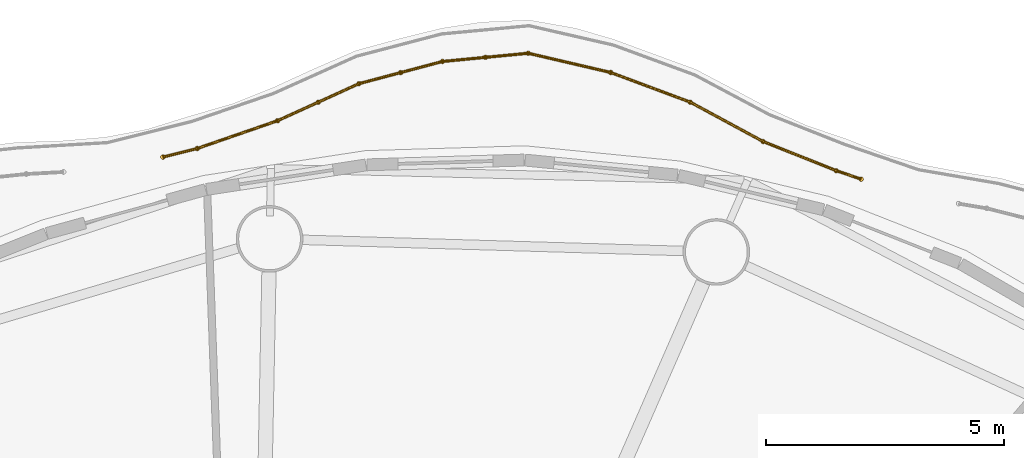
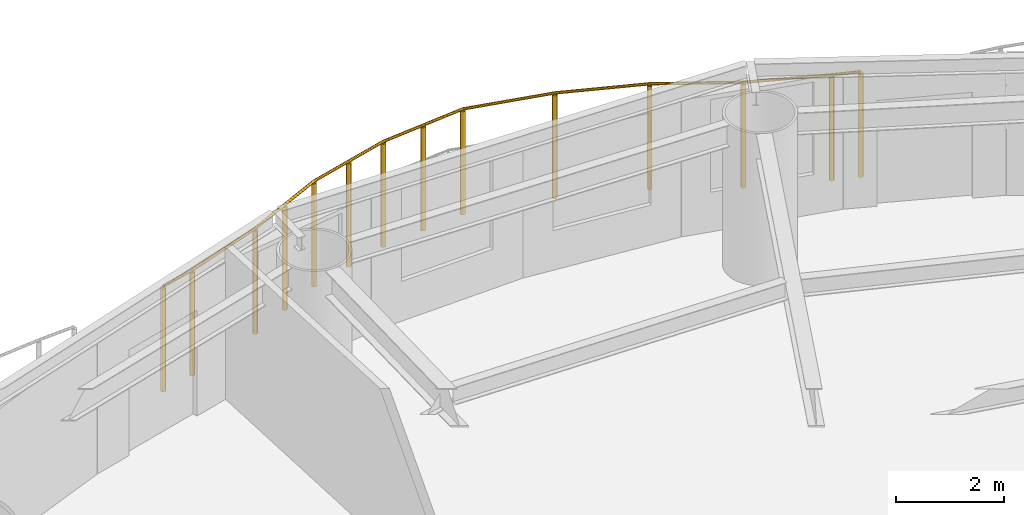
# One storey, part 15 of 15: 1 railing.
"""IFC4 building model written with IfcOpenShell, lengths in metres."""

from ifc_helpers import new_model, si_unit, direction, frame, origin, origin_2d, place, context, subcontext, project, spatial, circle, extrude, material, type_object, element, save


model = new_model("IFC4")

# Units and contexts
model_context = context("Model", 3, precision=1e-05, world=origin(), true_north=direction((0.0, 1.0)))
body_context = subcontext(model_context, "Body", "Model", "MODEL_VIEW")
ifc_project = project(units=[si_unit("LENGTHUNIT", "METRE"), si_unit("AREAUNIT", "SQUARE_METRE"), si_unit("VOLUMEUNIT", "CUBIC_METRE"), si_unit("PLANEANGLEUNIT", "RADIAN"), si_unit("MASSUNIT", "GRAM", prefix="KILO")], contexts=[model_context])

# Site, building, storey
site_placement = place(None, origin())
site = spatial("IfcSite", under=ifc_project, at=site_placement, CompositionType="ELEMENT")
building_placement = place(site_placement, origin())
building = spatial("IfcBuilding", under=site, at=building_placement, Name="Vermilion Reach Broadcast Tower", CompositionType="ELEMENT")
storey_placement = place(building_placement, frame((0.0, 0.0, 183.0)))
storey = spatial("IfcBuildingStorey", under=building, at=storey_placement, Name="L44", CompositionType="ELEMENT", Elevation=183.0)

# Railing
ifc_material = material(Name="Terracotta baguette", Category="masonry")
railing_type = type_object("IfcRailingType", Name="BAGUETTE SCREEN", PredefinedType="USERDEFINED", material=ifc_material)
railing_placement = place(storey_placement, frame((6.89013671875, 24.05712890625, 0.0)))
element("IfcRailing", 1, at=railing_placement, inside=storey, type_object=railing_type, Name="Baguette screen L44 group 1 part 2", ObjectType="BAGUETTE SCREEN", PredefinedType="USERDEFINED", context=body_context, shape_type="SweptSolid", body=[
    extrude(circle(Radius=0.030029296875, at=origin_2d()), frame((0.0, 0.0, 2.369873046875), z_axis=(-0.946035285542, 0.324063633426, 0.0), x_axis=(-0.324063633426, -0.946035285542, 0.0)), (0.0, 0.0, 1.0), 0.55078125),
    extrude(circle(Radius=0.030029296875, at=origin_2d()), frame((-0.52099609375, 0.178466796875, 2.369873046875), z_axis=(-0.929176098444, 0.369637360234, 0.0), x_axis=(-0.369637360234, -0.929176098444, 0.0)), (0.0, 0.0, 1.0), 1.6572265625),
    extrude(circle(Radius=0.030029296875, at=origin_2d()), frame((-2.060791015625, 0.791015625, 2.369873046875), z_axis=(-0.879723920469, 0.475484830204, 0.0), x_axis=(-0.475484830204, -0.879723920469, 0.0)), (0.0, 0.0, 1.0), 1.744140625),
    extrude(circle(Radius=0.030029296875, at=origin_2d()), frame((-3.59521484375, 1.620361328125, 2.369873046875), z_axis=(-0.937001435841, 0.349325506128, 0.0), x_axis=(-0.349325506128, -0.937001435841, 0.0)), (0.0, 0.0, 1.0), 1.786376953125),
    extrude(circle(Radius=0.030029296875, at=origin_2d()), frame((-5.26904296875, 2.244384765625, 2.369873046875), z_axis=(-0.973864445373, 0.227130011313, 0.0), x_axis=(-0.227130011313, -0.973864445373, 0.0)), (0.0, 0.0, 1.0), 1.7822265625),
    extrude(circle(Radius=0.030029296875, at=origin_2d()), frame((-7.004638671875, 2.649169921875, 2.369873046875), z_axis=(-0.995422583438, -0.095571336611, 0.0), x_axis=(0.095571336611, -0.995422583438, 0.0)), (0.0, 0.0, 1.0), 1.813720703125),
    extrude(circle(Radius=0.030029296875, at=origin_2d()), frame((-8.81005859375, 2.475830078125, 2.369873046875), z_axis=(-0.966459619412, -0.256818620911, 0.0), x_axis=(0.256818620911, -0.966459619412, 0.0)), (0.0, 0.0, 1.0), 1.818603515625),
    extrude(circle(Radius=0.030029296875, at=origin_2d()), frame((-10.567626953125, 2.0087890625, 2.369873046875), z_axis=(-0.910104155224, -0.414379568323, 0.0), x_axis=(0.414379568323, -0.910104155224, 0.0)), (0.0, 0.0, 1.0), 1.8818359375),
    extrude(circle(Radius=0.030029296875, at=origin_2d()), frame((-12.2802734375, 1.22900390625, 2.369873046875), z_axis=(-0.945143451838, -0.326655560872, 0.0), x_axis=(0.326655560872, -0.945143451838, 0.0)), (0.0, 0.0, 1.0), 1.787841796875),
    extrude(circle(Radius=0.030029296875, at=origin_2d()), frame((-13.969970703125, 0.64501953125, 2.369873046875), z_axis=(-0.970065339399, -0.242844059627, 0.0), x_axis=(0.242844059627, -0.970065339399, 0.0)), (0.0, 0.0, 1.0), 0.744873046875),
    extrude(circle(Radius=0.050048828125, at=origin_2d()), origin(), (0.0, 0.0, 1.0), 2.33984375),
    extrude(circle(Radius=0.050048828125, at=origin_2d()), frame((-0.52099609375, 0.178466796875, 0.0)), (0.0, 0.0, 1.0), 2.33984375),
    extrude(circle(Radius=0.050048828125, at=origin_2d()), frame((-2.060791015625, 0.791015625, 0.0)), (0.0, 0.0, 1.0), 2.33984375),
    extrude(circle(Radius=0.050048828125, at=origin_2d()), frame((-3.59521484375, 1.620361328125, 0.0)), (0.0, 0.0, 1.0), 2.33984375),
    extrude(circle(Radius=0.050048828125, at=origin_2d()), frame((-5.26904296875, 2.244384765625, 0.0)), (0.0, 0.0, 1.0), 2.33984375),
    extrude(circle(Radius=0.050048828125, at=origin_2d()), frame((-7.004638671875, 2.649169921875, 0.0)), (0.0, 0.0, 1.0), 2.33984375),
    extrude(circle(Radius=0.050048828125, at=origin_2d()), frame((-7.9072265625, 2.5625, 0.0)), (0.0, 0.0, 1.0), 2.33984375),
    extrude(circle(Radius=0.050048828125, at=origin_2d()), frame((-8.81005859375, 2.475830078125, 0.0)), (0.0, 0.0, 1.0), 2.33984375),
    extrude(circle(Radius=0.050048828125, at=origin_2d()), frame((-9.68896484375, 2.2421875, 0.0)), (0.0, 0.0, 1.0), 2.33984375),
    extrude(circle(Radius=0.050048828125, at=origin_2d()), frame((-10.567626953125, 2.0087890625, 0.0)), (0.0, 0.0, 1.0), 2.33984375),
    extrude(circle(Radius=0.050048828125, at=origin_2d()), frame((-11.423828125, 1.618896484375, 0.0)), (0.0, 0.0, 1.0), 2.33984375),
    extrude(circle(Radius=0.050048828125, at=origin_2d()), frame((-12.2802734375, 1.22900390625, 0.0)), (0.0, 0.0, 1.0), 2.33984375),
    extrude(circle(Radius=0.050048828125, at=origin_2d()), frame((-13.969970703125, 0.64501953125, 0.0)), (0.0, 0.0, 1.0), 2.33984375),
    extrude(circle(Radius=0.050048828125, at=origin_2d()), frame((-14.692626953125, 0.464111328125, 0.0)), (0.0, 0.0, 1.0), 2.33984375),
])

save(model, "model.ifc")
